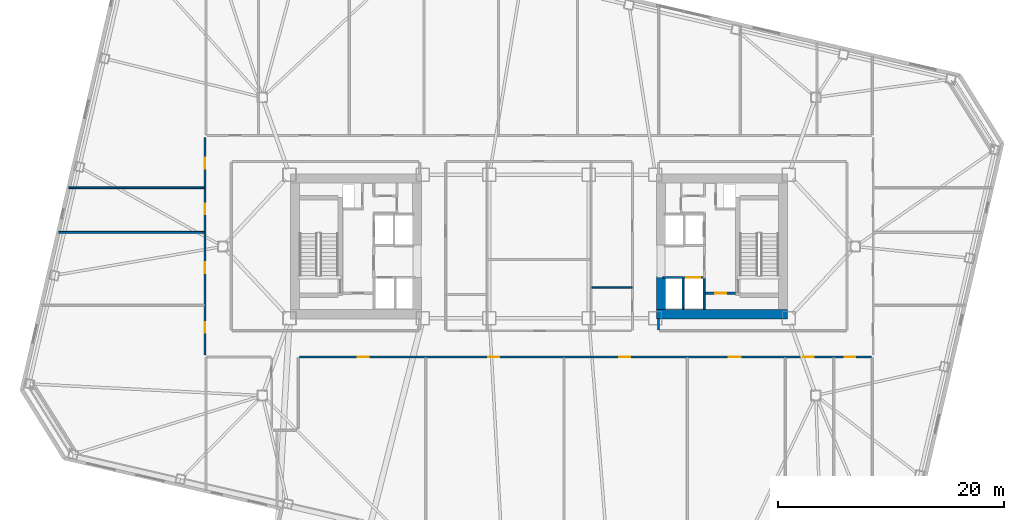
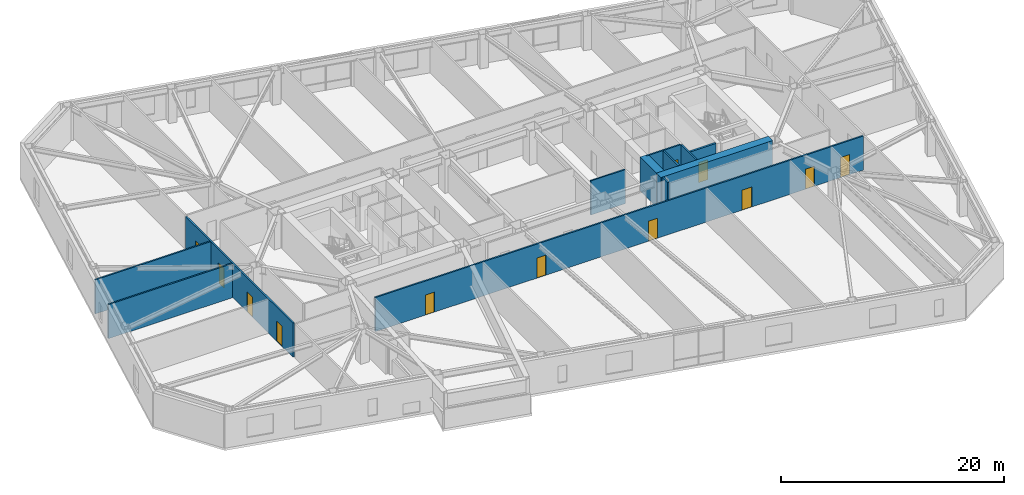
# One storey, part 9 of 18: 13 walls, 12 doors, 12 openings.
"""IFC4 building model written with IfcOpenShell, lengths in metres."""

from ifc_helpers import new_model, si_unit, direction, frame, frame_2d, origin, place, context, subcontext, project, spatial, rectangle, extrude, material, layer, layer_set, type_object, element, fill, save


model = new_model("IFC4")

# Units and contexts
model_context = context("Model", 3, precision=1e-05, world=origin(), true_north=direction((0.0, 1.0)))
body_context = subcontext(model_context, "Body", "Model", "MODEL_VIEW")
ifc_project = project(units=[si_unit("LENGTHUNIT", "METRE"), si_unit("AREAUNIT", "SQUARE_METRE"), si_unit("VOLUMEUNIT", "CUBIC_METRE"), si_unit("PLANEANGLEUNIT", "RADIAN"), si_unit("MASSUNIT", "GRAM", prefix="KILO")], contexts=[model_context])

# Site, building, storey
site_placement = place(None, origin())
site = spatial("IfcSite", under=ifc_project, at=site_placement, CompositionType="ELEMENT")
building_placement = place(site_placement, origin())
building = spatial("IfcBuilding", under=site, at=building_placement, Name="Tavrogorsk Clinical Tower", CompositionType="ELEMENT")
storey_placement = place(building_placement, frame((0.0, 0.0, 47.39990234375)))
storey = spatial("IfcBuildingStorey", under=building, at=storey_placement, Name="L09", CompositionType="ELEMENT", Elevation=47.39990234375)

# Wall, opening, door
ifc_material_1 = material(Name="Concrete B60", Category="concrete")
ifc_layer_1 = layer(ifc_material_1, 0.199951171875)
ifc_layer_set_1 = layer_set([ifc_layer_1], Name="Concrete B60")
wall_type_1 = type_object("IfcWallType", Name="CoreFireWall_200", PredefinedType="SOLIDWALL", material=ifc_layer_set_1)
wall_1_placement = place(storey_placement, frame((14.719970703125, -4.139892578125, 0.0), z_axis=(0.0, 0.0, 1.0), x_axis=(1.0, 0.0, 0.0)))
wall_1 = element("IfcWall", 1, at=wall_1_placement, inside=storey, type_object=wall_type_1, Name="L09 Core East South Core Room Fire Wall", PredefinedType="SOLIDWALL", context=body_context, shape_type="SweptSolid", body=[
    extrude(rectangle(XDim=2.659912109375, YDim=0.199951171875, at=frame_2d((1.330078125, 0.0))), origin(), (0.0, 0.0, 1.0), 3.739990234375),
])
opening_1_placement = place(wall_1_placement, frame((0.8798828125, 0.0, 0.0)))
opening_1 = element("IfcOpeningElement", 2, at=opening_1_placement, cuts=wall_1, Name="Opening ID-02", PredefinedType="OPENING", context=body_context, shape_type="SweptSolid", body=[
    extrude(rectangle(XDim=0.949951171875, YDim=2.199951171875, at=frame_2d((0.47509765625, 1.10009765625))), frame((0.0, 0.10986328125, 0.0), z_axis=(0.0, -1.0, 0.0), x_axis=(1.0, 0.0, 0.0)), (0.0, 0.0, 1.0), 0.219970703125),
])
ifc_material_2 = material(Name="Laminated timber leaf on aluminium frame", Category="wood")
door_type_1 = type_object("IfcDoorType", Name="InteriorDoor_ID02_950", OperationType="NOTDEFINED", PredefinedType="DOOR", material=ifc_material_2)
door_1_placement = place(opening_1_placement, origin())
door_1 = element("IfcDoor", 3, at=door_1_placement, inside=storey, type_object=door_type_1, Name="L09 Core East South Core Room Door", OperationType="SINGLE_SWING_LEFT", OverallHeight=2.199951171875, OverallWidth=0.949951171875, PredefinedType="DOOR", context=body_context, shape_type="SweptSolid", body=[
    extrude(rectangle(XDim=0.949951171875, YDim=2.199951171875, at=frame_2d((0.47509765625, 1.10009765625))), frame((0.0, 0.02490234375, 0.0), z_axis=(0.0, -1.0, 0.0), x_axis=(1.0, 0.0, 0.0)), (0.0, 0.0, 1.0), 0.050048828125),
])
fill(opening_1, door_1)

# Wall
ifc_material_3 = material(Name="Lightweight concrete blockwork B15", Category="masonry")
ifc_layer_2 = layer(ifc_material_3, 0.139892578125)
ifc_layer_set_2 = layer_set([ifc_layer_2], Name="Lightweight concrete blockwork B15")
wall_type_2 = type_object("IfcWallType", Name="PartitionWall_140", PredefinedType="PARTITIONING", material=ifc_layer_set_2)
wall_2_placement = place(storey_placement, frame((4.675048828125, -3.64990234375, 0.0), z_axis=(0.0, 0.0, 1.0), x_axis=(1.0, 0.0, 0.0)))
element("IfcWall", 4, at=wall_2_placement, inside=storey, type_object=wall_type_2, Name="L09 Central Spine Partition 5", PredefinedType="PARTITIONING", context=body_context, shape_type="SweptSolid", body=[
    extrude(rectangle(XDim=3.58984375, YDim=0.139892578125, at=frame_2d((1.794921875, 0.0))), origin(), (0.0, 0.0, 1.0), 3.739990234375),
])

# Wall, openings, doors
ifc_material_4 = material(Name="Lightweight concrete blockwork B15", Category="masonry")
ifc_layer_3 = layer(ifc_material_4, 0.159912109375)
ifc_layer_set_3 = layer_set([ifc_layer_3], Name="Lightweight concrete blockwork B15")
wall_type_3 = type_object("IfcWallType", Name="PartitionWall_160", PredefinedType="PARTITIONING", material=ifc_layer_set_3)
wall_3_placement = place(storey_placement, frame((-29.580078125, -9.614990234375, 0.0), z_axis=(0.0, 0.0, 1.0), x_axis=(0.0, 1.0, 0.0)))
wall_3 = element("IfcWall", 5, at=wall_3_placement, inside=storey, type_object=wall_type_3, Name="L09 Corridor Partition 02", PredefinedType="PARTITIONING", context=body_context, shape_type="SweptSolid", body=[
    extrude(rectangle(XDim=19.280029296875, YDim=0.159912109375, at=frame_2d((9.64013671875, 0.0))), origin(), (0.0, 0.0, 1.0), 3.739990234375),
])
opening_2_placement = place(wall_3_placement, frame((1.968994140625, 0.0, 0.0)))
opening_2 = element("IfcOpeningElement", 6, at=opening_2_placement, cuts=wall_3, Name="Opening ID-02", PredefinedType="OPENING", context=body_context, shape_type="SweptSolid", body=[
    extrude(rectangle(XDim=0.949951171875, YDim=2.199951171875, at=frame_2d((0.47509765625, 1.10009765625))), frame((0.0, 0.08984375, 0.0), z_axis=(0.0, -1.0, 0.0), x_axis=(1.0, 0.0, 0.0)), (0.0, 0.0, 1.0), 0.179931640625),
])
opening_3_placement = place(wall_3_placement, frame((7.25, 0.0, 0.0)))
opening_3 = element("IfcOpeningElement", 7, at=opening_3_placement, cuts=wall_3, Name="Opening ID-02", PredefinedType="OPENING", context=body_context, shape_type="SweptSolid", body=[
    extrude(rectangle(XDim=0.949951171875, YDim=2.199951171875, at=frame_2d((0.47509765625, 1.10009765625))), frame((0.0, 0.08984375, 0.0), z_axis=(0.0, -1.0, 0.0), x_axis=(1.0, 0.0, 0.0)), (0.0, 0.0, 1.0), 0.179931640625),
])
opening_4_placement = place(wall_3_placement, frame((12.449951171875, 0.0, 0.0)))
opening_4 = element("IfcOpeningElement", 8, at=opening_4_placement, cuts=wall_3, Name="Opening ID-02", PredefinedType="OPENING", context=body_context, shape_type="SweptSolid", body=[
    extrude(rectangle(XDim=0.949951171875, YDim=2.199951171875, at=frame_2d((0.47509765625, 1.10009765625))), frame((0.0, 0.08984375, 0.0), z_axis=(0.0, -1.0, 0.0), x_axis=(1.0, 0.0, 0.0)), (0.0, 0.0, 1.0), 0.179931640625),
])
opening_5_placement = place(wall_3_placement, frame((16.505859375, 0.0, 0.0)))
opening_5 = element("IfcOpeningElement", 9, at=opening_5_placement, cuts=wall_3, Name="Opening ID-02", PredefinedType="OPENING", context=body_context, shape_type="SweptSolid", body=[
    extrude(rectangle(XDim=0.949951171875, YDim=2.199951171875, at=frame_2d((0.47509765625, 1.10009765625))), frame((0.0, 0.08984375, 0.0), z_axis=(0.0, -1.0, 0.0), x_axis=(1.0, 0.0, 0.0)), (0.0, 0.0, 1.0), 0.179931640625),
])
door_2_placement = place(opening_2_placement, origin())
door_2 = element("IfcDoor", 10, at=door_2_placement, inside=storey, type_object=door_type_1, Name="L09 W Solarium Day Room & Lounge 1 Door", OperationType="SINGLE_SWING_LEFT", OverallHeight=2.199951171875, OverallWidth=0.949951171875, PredefinedType="DOOR", context=body_context, shape_type="SweptSolid", body=[
    extrude(rectangle(XDim=0.949951171875, YDim=2.199951171875, at=frame_2d((0.47509765625, 1.10009765625))), frame((0.0, 0.02490234375, 0.0), z_axis=(0.0, -1.0, 0.0), x_axis=(1.0, 0.0, 0.0)), (0.0, 0.0, 1.0), 0.050048828125),
])
fill(opening_2, door_2)
door_3_placement = place(opening_3_placement, origin())
door_3 = element("IfcDoor", 11, at=door_3_placement, inside=storey, type_object=door_type_1, Name="L09 W Rehabilitation Therapy Suite 2 Door", OperationType="SINGLE_SWING_RIGHT", OverallHeight=2.199951171875, OverallWidth=0.949951171875, PredefinedType="DOOR", context=body_context, shape_type="SweptSolid", body=[
    extrude(rectangle(XDim=0.949951171875, YDim=2.199951171875, at=frame_2d((0.47509765625, 1.10009765625))), frame((0.0, 0.02490234375, 0.0), z_axis=(0.0, -1.0, 0.0), x_axis=(1.0, 0.0, 0.0)), (0.0, 0.0, 1.0), 0.050048828125),
])
fill(opening_3, door_3)
door_4_placement = place(opening_4_placement, origin())
door_4 = element("IfcDoor", 12, at=door_4_placement, inside=storey, type_object=door_type_1, Name="L09 W Sub-Acute Observation Suite 3 Door", OperationType="SINGLE_SWING_LEFT", OverallHeight=2.199951171875, OverallWidth=0.949951171875, PredefinedType="DOOR", context=body_context, shape_type="SweptSolid", body=[
    extrude(rectangle(XDim=0.949951171875, YDim=2.199951171875, at=frame_2d((0.47509765625, 1.10009765625))), frame((0.0, 0.02490234375, 0.0), z_axis=(0.0, -1.0, 0.0), x_axis=(1.0, 0.0, 0.0)), (0.0, 0.0, 1.0), 0.050048828125),
])
fill(opening_4, door_4)
door_5_placement = place(opening_5_placement, origin())
door_5 = element("IfcDoor", 13, at=door_5_placement, inside=storey, type_object=door_type_1, Name="L09 W Family Consultation Lounge 4 Door", OperationType="SINGLE_SWING_RIGHT", OverallHeight=2.199951171875, OverallWidth=0.949951171875, PredefinedType="DOOR", context=body_context, shape_type="SweptSolid", body=[
    extrude(rectangle(XDim=0.949951171875, YDim=2.199951171875, at=frame_2d((0.47509765625, 1.10009765625))), frame((0.0, 0.02490234375, 0.0), z_axis=(0.0, -1.0, 0.0), x_axis=(1.0, 0.0, 0.0)), (0.0, 0.0, 1.0), 0.050048828125),
])
fill(opening_5, door_5)

wall_4_placement = place(storey_placement, frame((29.4150390625, -9.780029296875, 0.0), z_axis=(0.0, 0.0, 1.0), x_axis=(-1.0, 0.0, 0.0)))
wall_4 = element("IfcWall", 14, at=wall_4_placement, inside=storey, type_object=wall_type_3, Name="L09 Corridor Partition 05", PredefinedType="PARTITIONING", context=body_context, shape_type="SweptSolid", body=[
    extrude(rectangle(XDim=50.650146484375, YDim=0.159912109375, at=frame_2d((25.3251953125, 0.0))), origin(), (0.0, 0.0, 1.0), 3.739990234375),
])
opening_6_placement = place(wall_4_placement, frame((44.515869140625, 0.0, 0.0)))
opening_6 = element("IfcOpeningElement", 15, at=opening_6_placement, cuts=wall_4, Name="Opening ID-02", PredefinedType="OPENING", context=body_context, shape_type="SweptSolid", body=[
    extrude(rectangle(XDim=0.949951171875, YDim=2.199951171875, at=frame_2d((0.47509765625, 1.10009765625))), frame((0.0, 0.08984375, 0.0), z_axis=(0.0, -1.0, 0.0), x_axis=(1.0, 0.0, 0.0)), (0.0, 0.0, 1.0), 0.179931640625),
])
opening_7_placement = place(wall_4_placement, frame((32.949951171875, 0.0, 0.0)))
opening_7 = element("IfcOpeningElement", 16, at=opening_7_placement, cuts=wall_4, Name="Opening ID-02", PredefinedType="OPENING", context=body_context, shape_type="SweptSolid", body=[
    extrude(rectangle(XDim=0.949951171875, YDim=2.199951171875, at=frame_2d((0.47509765625, 1.10009765625))), frame((0.0, 0.08984375, 0.0), z_axis=(0.0, -1.0, 0.0), x_axis=(1.0, 0.0, 0.0)), (0.0, 0.0, 1.0), 0.179931640625),
])
opening_8_placement = place(wall_4_placement, frame((21.360107421875, 0.0, 0.0)))
opening_8 = element("IfcOpeningElement", 17, at=opening_8_placement, cuts=wall_4, Name="Opening ID-02", PredefinedType="OPENING", context=body_context, shape_type="SweptSolid", body=[
    extrude(rectangle(XDim=0.949951171875, YDim=2.199951171875, at=frame_2d((0.47509765625, 1.10009765625))), frame((0.0, 0.08984375, 0.0), z_axis=(0.0, -1.0, 0.0), x_axis=(1.0, 0.0, 0.0)), (0.0, 0.0, 1.0), 0.179931640625),
])
opening_9_placement = place(wall_4_placement, frame((11.56005859375, 0.0, 0.0)))
opening_9 = element("IfcOpeningElement", 18, at=opening_9_placement, cuts=wall_4, Name="Opening ID-04", PredefinedType="OPENING", context=body_context, shape_type="SweptSolid", body=[
    extrude(rectangle(XDim=1.050048828125, YDim=2.199951171875, at=frame_2d((0.52490234375, 1.10009765625))), frame((0.0, 0.08984375, 0.0), z_axis=(0.0, -1.0, 0.0), x_axis=(1.0, 0.0, 0.0)), (0.0, 0.0, 1.0), 0.179931640625),
])
opening_10_placement = place(wall_4_placement, frame((5.074951171875, 0.0, 0.0)))
opening_10 = element("IfcOpeningElement", 19, at=opening_10_placement, cuts=wall_4, Name="Opening ID-02", PredefinedType="OPENING", context=body_context, shape_type="SweptSolid", body=[
    extrude(rectangle(XDim=0.949951171875, YDim=2.199951171875, at=frame_2d((0.47509765625, 1.10009765625))), frame((0.0, 0.08984375, 0.0), z_axis=(0.0, -1.0, 0.0), x_axis=(1.0, 0.0, 0.0)), (0.0, 0.0, 1.0), 0.179931640625),
])
opening_11_placement = place(wall_4_placement, frame((1.419189453125, 0.0, 0.0)))
opening_11 = element("IfcOpeningElement", 20, at=opening_11_placement, cuts=wall_4, Name="Opening ID-02", PredefinedType="OPENING", context=body_context, shape_type="SweptSolid", body=[
    extrude(rectangle(XDim=0.949951171875, YDim=2.199951171875, at=frame_2d((0.47509765625, 1.10009765625))), frame((0.0, 0.08984375, 0.0), z_axis=(0.0, -1.0, 0.0), x_axis=(1.0, 0.0, 0.0)), (0.0, 0.0, 1.0), 0.179931640625),
])
ifc_material_5 = material(Name="Antibacterial HPL consultation door on aluminium frame", Category="aluminium")
door_type_2 = type_object("IfcDoorType", Name="ConsultDoor_ID04_1050", OperationType="NOTDEFINED", PredefinedType="DOOR", material=ifc_material_5)
door_6_placement = place(opening_9_placement, origin())
door_6 = element("IfcDoor", 21, at=door_6_placement, inside=storey, type_object=door_type_2, Name="L09 South Renal Dietetics Conference Room 03B Door", OperationType="SINGLE_SWING_RIGHT", OverallHeight=2.199951171875, OverallWidth=1.050048828125, PredefinedType="DOOR", context=body_context, shape_type="SweptSolid", body=[
    extrude(rectangle(XDim=1.050048828125, YDim=2.199951171875, at=frame_2d((0.52490234375, 1.10009765625))), frame((0.0, 0.02490234375, 0.0), z_axis=(0.0, -1.0, 0.0), x_axis=(1.0, 0.0, 0.0)), (0.0, 0.0, 1.0), 0.050048828125),
])
fill(opening_9, door_6)
door_7_placement = place(opening_6_placement, origin())
door_7 = element("IfcDoor", 22, at=door_7_placement, inside=storey, type_object=door_type_1, Name="L09 South Dialysis Dialysate Storage Room 02A Door", OperationType="SINGLE_SWING_LEFT", OverallHeight=2.199951171875, OverallWidth=0.949951171875, PredefinedType="DOOR", context=body_context, shape_type="SweptSolid", body=[
    extrude(rectangle(XDim=0.949951171875, YDim=2.199951171875, at=frame_2d((0.47509765625, 1.10009765625))), frame((0.0, 0.02490234375, 0.0), z_axis=(0.0, -1.0, 0.0), x_axis=(1.0, 0.0, 0.0)), (0.0, 0.0, 1.0), 0.050048828125),
])
fill(opening_6, door_7)
door_8_placement = place(opening_7_placement, origin())
door_8 = element("IfcDoor", 23, at=door_8_placement, inside=storey, type_object=door_type_1, Name="L09 South Outpatient Renal Dialysis Station 02B Door", OperationType="SINGLE_SWING_RIGHT", OverallHeight=2.199951171875, OverallWidth=0.949951171875, PredefinedType="DOOR", context=body_context, shape_type="SweptSolid", body=[
    extrude(rectangle(XDim=0.949951171875, YDim=2.199951171875, at=frame_2d((0.47509765625, 1.10009765625))), frame((0.0, 0.02490234375, 0.0), z_axis=(0.0, -1.0, 0.0), x_axis=(1.0, 0.0, 0.0)), (0.0, 0.0, 1.0), 0.050048828125),
])
fill(opening_7, door_8)
door_9_placement = place(opening_8_placement, origin())
door_9 = element("IfcDoor", 24, at=door_9_placement, inside=storey, type_object=door_type_1, Name="L09 South Nephrology Consultation Office 03A Door", OperationType="SINGLE_SWING_LEFT", OverallHeight=2.199951171875, OverallWidth=0.949951171875, PredefinedType="DOOR", context=body_context, shape_type="SweptSolid", body=[
    extrude(rectangle(XDim=0.949951171875, YDim=2.199951171875, at=frame_2d((0.47509765625, 1.10009765625))), frame((0.0, 0.02490234375, 0.0), z_axis=(0.0, -1.0, 0.0), x_axis=(1.0, 0.0, 0.0)), (0.0, 0.0, 1.0), 0.050048828125),
])
fill(opening_8, door_9)
door_10_placement = place(opening_10_placement, origin())
door_10 = element("IfcDoor", 25, at=door_10_placement, inside=storey, type_object=door_type_1, Name="L09 South Dialysis Dialysate Storage Room 04A Door", OperationType="SINGLE_SWING_LEFT", OverallHeight=2.199951171875, OverallWidth=0.949951171875, PredefinedType="DOOR", context=body_context, shape_type="SweptSolid", body=[
    extrude(rectangle(XDim=0.949951171875, YDim=2.199951171875, at=frame_2d((0.47509765625, 1.10009765625))), frame((0.0, 0.02490234375, 0.0), z_axis=(0.0, -1.0, 0.0), x_axis=(1.0, 0.0, 0.0)), (0.0, 0.0, 1.0), 0.050048828125),
])
fill(opening_10, door_10)
door_11_placement = place(opening_11_placement, origin())
door_11 = element("IfcDoor", 26, at=door_11_placement, inside=storey, type_object=door_type_1, Name="L09 South Outpatient Renal Dialysis Station 04B Door", OperationType="SINGLE_SWING_RIGHT", OverallHeight=2.199951171875, OverallWidth=0.949951171875, PredefinedType="DOOR", context=body_context, shape_type="SweptSolid", body=[
    extrude(rectangle(XDim=0.949951171875, YDim=2.199951171875, at=frame_2d((0.47509765625, 1.10009765625))), frame((0.0, 0.02490234375, 0.0), z_axis=(0.0, -1.0, 0.0), x_axis=(1.0, 0.0, 0.0)), (0.0, 0.0, 1.0), 0.050048828125),
])
fill(opening_11, door_11)

# Walls
wall_5_placement = place(storey_placement, frame((10.580078125, -6.419921875, 0.0), z_axis=(0.0, 0.0, 1.0), x_axis=(0.0, -1.0, 0.0)))
element("IfcWall", 27, at=wall_5_placement, inside=storey, type_object=wall_type_3, Name="L09 Corridor Partition 11", PredefinedType="PARTITIONING", context=body_context, shape_type="SweptSolid", body=[
    extrude(rectangle(XDim=0.965087890625, YDim=0.159912109375, at=frame_2d((0.482421875, 0.0))), origin(), (0.0, 0.0, 1.0), 3.739990234375),
])
wall_6_placement = place(storey_placement, frame((-42.552978515625, 1.25, 0.0), z_axis=(0.0, 0.0, 1.0), x_axis=(1.0, 0.0, 0.0)))
element("IfcWall", 28, at=wall_6_placement, inside=storey, type_object=wall_type_3, Name="L09 W Wing Divider 2", PredefinedType="PARTITIONING", context=body_context, shape_type="SweptSolid", body=[
    extrude(rectangle(XDim=12.887939453125, YDim=0.159912109375, at=frame_2d((6.44384765625, 0.0))), origin(), (0.0, 0.0, 1.0), 3.739990234375),
])
wall_7_placement = place(storey_placement, frame((-41.64111328125, 5.199951171875, 0.0), z_axis=(0.0, 0.0, 1.0), x_axis=(1.0, 0.0, 0.0)))
element("IfcWall", 29, at=wall_7_placement, inside=storey, type_object=wall_type_3, Name="L09 W Wing Divider 3", PredefinedType="PARTITIONING", context=body_context, shape_type="SweptSolid", body=[
    extrude(rectangle(XDim=11.97607421875, YDim=0.159912109375, at=frame_2d((5.988037109375, 0.0))), origin(), (0.0, 0.0, 1.0), 3.739990234375),
])

# Wall, opening, door
ifc_material_6 = material(Name="Lightweight concrete blockwork B25", Category="masonry")
ifc_layer_4 = layer(ifc_material_6, 0.159912109375)
ifc_layer_set_4 = layer_set([ifc_layer_4], Name="Lightweight concrete blockwork B25")
wall_type_4 = type_object("IfcWallType", Name="ShaftWall_160", PredefinedType="PARTITIONING", material=ifc_layer_set_4)
wall_8_placement = place(storey_placement, frame((12.77001953125, -2.75, 0.0), z_axis=(0.0, 0.0, 1.0), x_axis=(1.0, 0.0, 0.0)))
wall_8 = element("IfcWall", 30, at=wall_8_placement, inside=storey, type_object=wall_type_4, Name="L09 LP-L2 Lift Shaft Portal Wall", PredefinedType="PARTITIONING", context=body_context, shape_type="SweptSolid", body=[
    extrude(rectangle(XDim=1.760009765625, YDim=0.159912109375, at=frame_2d((0.8798828125, 0.0))), origin(), (0.0, 0.0, 1.0), 3.739990234375),
])
opening_12_placement = place(wall_8_placement, frame((0.280029296875, 0.0, 0.0)))
opening_12 = element("IfcOpeningElement", 31, at=opening_12_placement, cuts=wall_8, Name="Opening LD", PredefinedType="OPENING", context=body_context, shape_type="SweptSolid", body=[
    extrude(rectangle(XDim=1.199951171875, YDim=2.199951171875, at=frame_2d((0.60009765625, 1.10009765625))), frame((0.0, 0.08984375, 0.0), z_axis=(0.0, -1.0, 0.0), x_axis=(1.0, 0.0, 0.0)), (0.0, 0.0, 1.0), 0.179931640625),
])
ifc_material_7 = material(Name="Brushed stainless steel AISI 304 sliding doors", Category="steel")
door_type_3 = type_object("IfcDoorType", Name="LiftLandingDoor_LD_1200", OperationType="SLIDING_TO_LEFT", PredefinedType="DOOR", material=ifc_material_7)
door_12_placement = place(opening_12_placement, origin())
door_12 = element("IfcDoor", 32, at=door_12_placement, inside=storey, type_object=door_type_3, Name="L09 LP-L2 Sliding Lift Landing Door", OperationType="SLIDING_TO_LEFT", OverallHeight=2.199951171875, OverallWidth=1.199951171875, PredefinedType="DOOR", context=body_context, shape_type="SweptSolid", body=[
    extrude(rectangle(XDim=1.199951171875, YDim=2.199951171875, at=frame_2d((0.60009765625, 1.10009765625))), frame((0.0, 0.02490234375, 0.0), z_axis=(0.0, -1.0, 0.0), x_axis=(1.0, 0.0, 0.0)), (0.0, 0.0, 1.0), 0.050048828125),
])
fill(opening_12, door_12)

# Walls
for number, where, z_axis, x_axis, name in (
    (33, (12.75, -5.5400390625, 0.0), (0.0, 0.0, 1.0), (0.0, 1.0, 0.0), "L09 LP-L2 Lift Hoistway Divider Wall"),
    (34, (14.610107421875, -5.5400390625, 0.0), (0.0, 0.0, 1.0), (0.0, 1.0, 0.0), "L09 LP-L2 Lift Hoistway Outer Cheek Wall"),
):
    element("IfcWall", number, at=place(storey_placement, frame(where, z_axis=z_axis, x_axis=x_axis)), inside=storey, type_object=wall_type_4, Name=name, PredefinedType="PARTITIONING", context=body_context, shape_type="SweptSolid", body=[
        extrude(rectangle(XDim=2.699951171875, YDim=0.159912109375, at=frame_2d((1.35009765625, 0.0))), origin(), (0.0, 0.0, 1.0), 3.739990234375),
    ])
wall_9_placement = place(storey_placement, frame((10.969970703125, -2.75, 0.0), z_axis=(0.0, 0.0, 1.0), x_axis=(1.0, 0.0, 0.0)))
element("IfcWall", 35, at=wall_9_placement, inside=storey, type_object=wall_type_4, Name="L09 LP-M2 Lift Shaft Portal Wall", PredefinedType="PARTITIONING", context=body_context, shape_type="SweptSolid", body=[
    extrude(rectangle(XDim=1.760009765625, YDim=0.159912109375, at=frame_2d((0.8798828125, 0.0))), origin(), (0.0, 0.0, 1.0), 3.739990234375),
])
ifc_material_8 = material(Name="Concrete B80", Category="concrete")
ifc_layer_5 = layer(ifc_material_8, 0.800048828125)
ifc_layer_set_5 = layer_set([ifc_layer_5], Name="Concrete B80")
wall_type_5 = type_object("IfcWallType", Name="ShearWall_800", PredefinedType="SHEAR", material=ifc_layer_set_5)
wall_10_placement = place(storey_placement, frame((10.39990234375, -6.0, 0.0), z_axis=(0.0, 0.0, 1.0), x_axis=(1.0, 0.0, 0.0)))
element("IfcWall", 36, at=wall_10_placement, inside=storey, type_object=wall_type_5, Name="L09 Core East South Shear Wall", PredefinedType="SHEAR", context=body_context, shape_type="SweptSolid", body=[
    extrude(rectangle(XDim=11.60009765625, YDim=0.800048828125, at=frame_2d((5.800048828125, 0.0))), origin(), (0.0, 0.0, 1.0), 3.739990234375),
])
wall_11_placement = place(storey_placement, frame((10.800048828125, -5.60009765625, 0.0), z_axis=(0.0, 0.0, 1.0), x_axis=(0.0, 1.0, 0.0)))
element("IfcWall", 37, at=wall_11_placement, inside=storey, type_object=wall_type_5, Name="L09 Core East Inner South Pier", PredefinedType="SHEAR", context=body_context, shape_type="SweptSolid", body=[
    extrude(rectangle(XDim=2.9501953125, YDim=0.800048828125, at=frame_2d((1.47509765625, 0.0))), origin(), (0.0, 0.0, 1.0), 3.739990234375),
])

save(model, "model.ifc")
